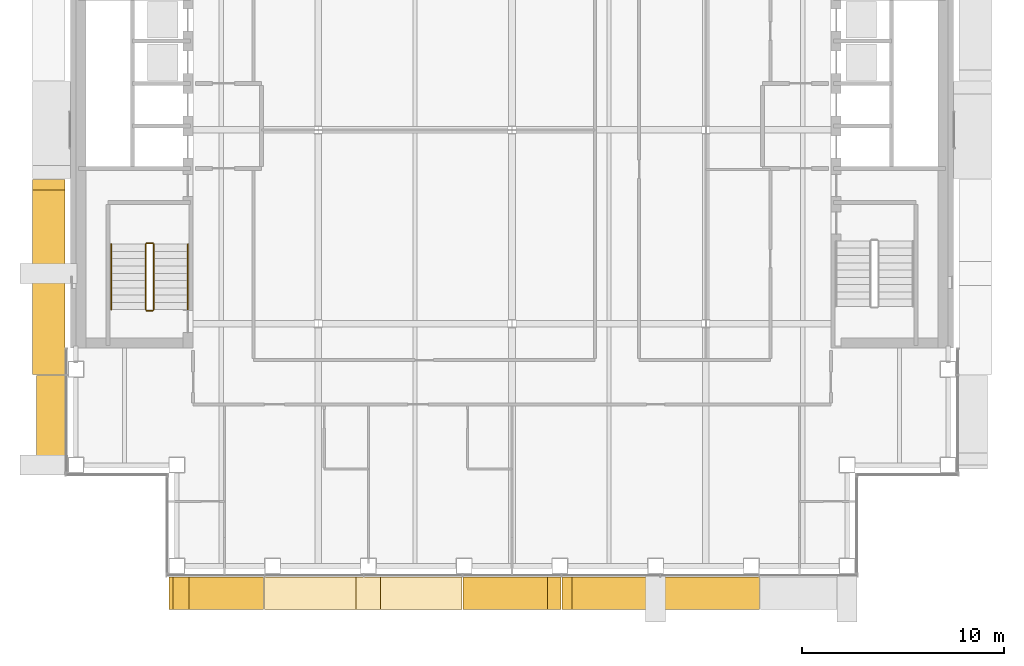
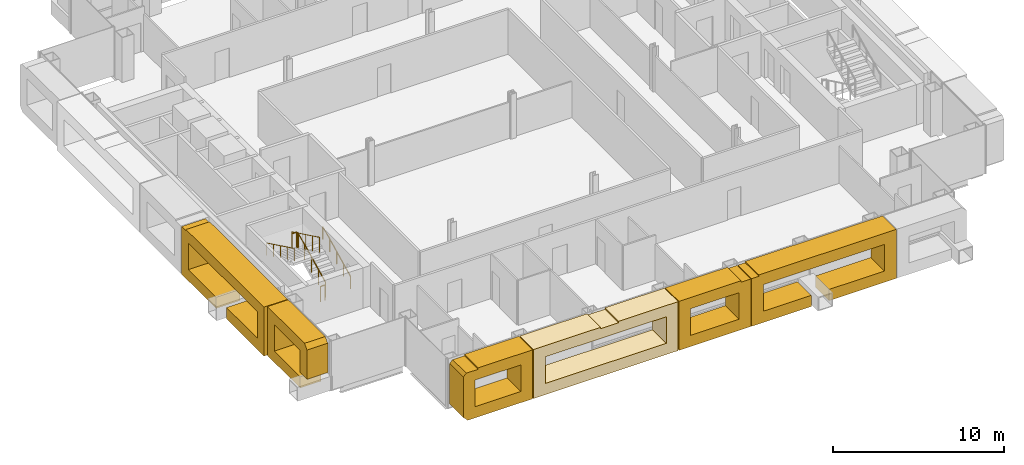
# One storey, part 16 of 21: 6 coverings, 6 railings.
"""IFC4 building model written with IfcOpenShell, lengths in metres."""

import ifcopenshell
import ifcopenshell.guid

model = None  # the IFC model being written
_history = None  # IfcOwnerHistory: only IFC2X3 demands one
_inside = {}  # id of a spatial element -> (the spatial element, [elements in it])
_under = {}  # id of a project, library or spatial element -> (it, [spatial elements below it])
_declared = {}  # id of a project -> (the project, [libraries it declares])
_typed = {}  # id of a type object -> (the type object, [elements of that type])
_made_of = {}  # id of a material, layer set ... -> (it, [elements and type objects made of it])


def new_model(schema):
    """Start an empty IFC model of exactly this schema.

    Asked for "IFC4X3", IfcOpenShell would pick the latest addendum, in which some entities
    have other attributes; the version numbers below select the first issue.
    IFC2X3 requires an IfcOwnerHistory on every rooted entity: one is made here for all.
    """
    global model, _history
    if schema == "IFC4X3":
        model = ifcopenshell.file(schema_version=(4, 3, 0, 0))
    else:
        model = ifcopenshell.file(schema=schema)
    _inside.clear()
    _under.clear()
    _declared.clear()
    _typed.clear()
    _made_of.clear()
    _history = None
    if model.schema == "IFC2X3":
        org = make("IfcOrganization", Name="unknown")
        user = make(
            "IfcPersonAndOrganization",
            ThePerson=make("IfcPerson", FamilyName="unknown"),
            TheOrganization=org,
        )
        app = make(
            "IfcApplication",
            ApplicationDeveloper=org,
            Version="unknown",
            ApplicationFullName="unknown",
            ApplicationIdentifier="unknown",
        )
        _history = make(
            "IfcOwnerHistory",
            OwningUser=user,
            OwningApplication=app,
            ChangeAction="ADDED",
            CreationDate=0,
        )
    return model


def make(cls, **values):
    """One entity of the class cls with the attributes given. An attribute that is None is left unset."""
    return model.create_entity(
        cls, **{name: value for name, value in values.items() if value is not None}
    )


def rooted(cls, **values):
    """An entity with a GlobalId (a new one), such as an element, a storey or a relation."""
    return make(cls, GlobalId=ifcopenshell.guid.new(), OwnerHistory=_history, **values)


def si_unit(unit_type, name, prefix=None):
    """IfcSIUnit, for example si_unit("LENGTHUNIT", "METRE", prefix="MILLI")."""
    return make("IfcSIUnit", UnitType=unit_type, Prefix=prefix, Name=name)


def assignment(units):
    """IfcUnitAssignment: the units of a project."""
    return None if units is None else make("IfcUnitAssignment", Units=units)


def point(xyz):
    """IfcCartesianPoint."""
    return None if xyz is None else make("IfcCartesianPoint", Coordinates=xyz)


def direction(xyz):
    """IfcDirection."""
    return None if xyz is None else make("IfcDirection", DirectionRatios=xyz)


def frame(location, z_axis=None, x_axis=None):
    """IfcAxis2Placement3D, a coordinate frame: its origin and axes. An axis left out is left unset."""
    return make(
        "IfcAxis2Placement3D",
        Location=point(location),
        Axis=direction(z_axis),
        RefDirection=direction(x_axis),
    )


def frame_2d(location, x_axis=None):
    """IfcAxis2Placement2D, a coordinate frame in the plane: its origin and x axis."""
    return make(
        "IfcAxis2Placement2D", Location=point(location), RefDirection=direction(x_axis)
    )


def origin():
    """The frame at (0, 0, 0) with its axes left unset."""
    return frame((0.0, 0.0, 0.0))


def origin_2d():
    """The frame at (0, 0) in the plane with its x axis left unset."""
    return frame_2d((0.0, 0.0))


def place(relative_to, where):
    """IfcLocalPlacement: puts the frame where relative to a parent placement (None: the world)."""
    return make(
        "IfcLocalPlacement", PlacementRelTo=relative_to, RelativePlacement=where
    )


def context(
    kind, dimensions, precision=None, world=None, true_north=None, identifier=None
):
    """IfcGeometricRepresentationContext, for example the 3D "Model" context."""
    return make(
        "IfcGeometricRepresentationContext",
        ContextIdentifier=identifier,
        ContextType=kind,
        CoordinateSpaceDimension=dimensions,
        Precision=precision,
        WorldCoordinateSystem=world,
        TrueNorth=true_north,
    )


def subcontext(parent, identifier, kind, view, scale=None):
    """IfcGeometricRepresentationSubContext, for example "Body" below "Model"."""
    return make(
        "IfcGeometricRepresentationSubContext",
        ContextIdentifier=identifier,
        ContextType=kind,
        ParentContext=parent,
        TargetScale=scale,
        TargetView=view,
    )


def project(units=None, contexts=None):
    """IfcProject with its units and contexts."""
    return rooted(
        "IfcProject",
        Name="project",
        RepresentationContexts=contexts,
        UnitsInContext=assignment(units),
    )


def spatial(cls, under=None, at=None, **own):
    """A site, building, storey or space (cls), placed at a placement, below another one or the project."""
    s = rooted(cls, ObjectPlacement=at, **own)
    if under is not None:
        _under.setdefault(under.id(), (under, []))[1].append(s)
    return s


def polyline(points):
    """IfcPolyline through the points."""
    return make("IfcPolyline", Points=[point(p) for p in points])


def profile(cls, at=None, kind="AREA", **sizes):
    """A parametric profile (cls). Its sizes go by their IFC names, for example OverallWidth=200.0."""
    return make(cls, ProfileType=kind, Position=at, **sizes)


def circle(**sizes):
    """IfcCircleProfileDef."""
    return profile("IfcCircleProfileDef", **sizes)


def outline(outer, holes=None, kind="AREA"):
    """IfcArbitraryClosedProfileDef: a profile drawn as a closed curve; with holes, ...WithVoids."""
    if holes is None:
        return make("IfcArbitraryClosedProfileDef", ProfileType=kind, OuterCurve=outer)
    return make(
        "IfcArbitraryProfileDefWithVoids",
        ProfileType=kind,
        OuterCurve=outer,
        InnerCurves=holes,
    )


def extrude(swept, where, along, depth):
    """IfcExtrudedAreaSolid: the profile swept, set in the frame where, extruded along a direction by depth."""
    return make(
        "IfcExtrudedAreaSolid",
        SweptArea=swept,
        Position=where,
        ExtrudedDirection=direction(along),
        Depth=depth,
    )


def shape(context_of_items, identifier, shape_type, items):
    """IfcShapeRepresentation: the items that make up one representation, for example the "Body"."""
    return make(
        "IfcShapeRepresentation",
        ContextOfItems=context_of_items,
        RepresentationIdentifier=identifier,
        RepresentationType=shape_type,
        Items=items,
    )


def material(Name=None, Category=None):
    """IfcMaterial."""
    return make("IfcMaterial", Name=Name, Category=Category)


def made_of(thing, what):
    """Note that an element or type object is made of a material, layer set ...; save() writes the relation."""
    if what is not None:
        _made_of.setdefault(what.id(), (what, []))[1].append(thing)
    return thing


def type_object(cls, material=None, **own):
    """A type object (cls), such as IfcWallType, which elements share."""
    return made_of(rooted(cls, **own), material)


def element(
    cls,
    number,
    at=None,
    inside=None,
    cuts=None,
    type_object=None,
    material=None,
    context=None,
    identifier="Body",
    shape_type=None,
    held_by="IfcProductDefinitionShape",
    body=None,
    shapes=None,
    **own,
):
    """One element of the class cls, such as IfcWall. Its Tag is "e" and its number.

    at: its placement. inside: the storey or other place that contains it. cuts: it is an
    opening in that element (IfcRelVoidsElement). A single representation is given by context,
    identifier, shape_type and body (its items); several are given by shapes. held_by: the class
    of the entity that holds the representations. save() writes the other relations.
    """
    e = rooted(cls, Tag="e%d" % number, ObjectPlacement=at, **own)
    if body is not None:
        shapes = [shape(context, identifier, shape_type, body)]
    if shapes is not None:
        e.Representation = make(held_by, Representations=shapes)
    if inside is not None:
        _inside.setdefault(inside.id(), (inside, []))[1].append(e)
    if cuts is not None:
        rooted(
            "IfcRelVoidsElement", RelatingBuildingElement=cuts, RelatedOpeningElement=e
        )
    if type_object is not None:
        _typed.setdefault(type_object.id(), (type_object, []))[1].append(e)
    return made_of(e, material)


def aggregate(whole, parts):
    """IfcRelAggregates: a whole, such as a stair, and the parts it consists of."""
    return rooted("IfcRelAggregates", RelatingObject=whole, RelatedObjects=parts)


def save(model, path):
    """Write the relations noted so far, then the file.

    IfcRelAggregates (storeys below a building ...), IfcRelContainedInSpatialStructure (elements
    in a storey), IfcRelDefinesByType, IfcRelAssociatesMaterial and IfcRelDeclares: one each for
    every whole, place, type object, material and project.
    """
    for whole, parts in _under.values():
        aggregate(whole, parts)
    for where, things in _inside.values():
        rooted(
            "IfcRelContainedInSpatialStructure",
            RelatedElements=things,
            RelatingStructure=where,
        )
    for kind, things in _typed.values():
        rooted("IfcRelDefinesByType", RelatedObjects=things, RelatingType=kind)
    for what, things in _made_of.values():
        rooted("IfcRelAssociatesMaterial", RelatedObjects=things, RelatingMaterial=what)
    for by, libraries in _declared.values():
        rooted("IfcRelDeclares", RelatingContext=by, RelatedDefinitions=libraries)
    model.write(path)


model = new_model("IFC4")

# Units and contexts
model_context = context("Model", 3, precision=1e-05, world=origin(), true_north=direction((0.0, 1.0)))
body_context = subcontext(model_context, "Body", "Model", "MODEL_VIEW")
ifc_project = project(units=[si_unit("LENGTHUNIT", "METRE"), si_unit("AREAUNIT", "SQUARE_METRE"), si_unit("VOLUMEUNIT", "CUBIC_METRE"), si_unit("PLANEANGLEUNIT", "RADIAN"), si_unit("MASSUNIT", "GRAM", prefix="KILO")], contexts=[model_context])

# Site, building, storey
site_placement = place(None, origin())
site = spatial("IfcSite", under=ifc_project, at=site_placement, CompositionType="ELEMENT")
building_placement = place(site_placement, origin())
building = spatial("IfcBuilding", under=site, at=building_placement, Name="Cobrizo Arcos Hotel Tower", CompositionType="ELEMENT")
storey_placement = place(building_placement, frame((0.0, 0.0, 183.0)))
storey = spatial("IfcBuildingStorey", under=building, at=storey_placement, Name="L47", CompositionType="ELEMENT", Elevation=183.0)

# Coverings
ifc_material_1 = material(Name="Aluminium 6063-T6 anodised bronze", Category="aluminium")
covering_type_1 = type_object("IfcCoveringType", Name="FIN-F 1400", PredefinedType="CLADDING", material=ifc_material_1)
covering_1_placement = place(storey_placement, frame((-22.14990234375, -12.16796875, 0.0), z_axis=(-1.0, 0.0, 0.0), x_axis=(0.0, -1.0, 0.0)))
element("IfcCovering", 1, at=covering_1_placement, inside=storey, type_object=covering_type_1, Name="Fin frame 290", PredefinedType="CLADDING", context=body_context, shape_type="SweptSolid", body=[
    extrude(outline(polyline([(0.0, 0.0), (3.830078125, 0.0), (3.830078125, 0.800048828125), (0.800048828125, 0.800048828125), (0.800048828125, 2.699951171875), (3.83203125, 2.699951171875), (3.83203125, 1.10205078125), (4.632080078125, 1.10205078125), (4.632080078125, 3.199951171875), (4.33203125, 3.5), (0.0, 3.5), (0.0, 0.0)])), origin(), (0.0, 0.0, 1.0), 1.400146484375),
])
covering_type_2 = type_object("IfcCoveringType", Name="FIN-F 1600", PredefinedType="CLADDING", material=ifc_material_1)
covering_2_placement = place(storey_placement, frame((-17.0, -22.14990234375, 0.0), z_axis=(0.0, -1.0, 0.0), x_axis=(1.0, 0.0, 0.0)))
element("IfcCovering", 2, at=covering_2_placement, inside=storey, type_object=covering_type_2, Name="Fin frame 256", PredefinedType="CLADDING", context=body_context, shape_type="SweptSolid", body=[
    extrude(outline(polyline([(4.689208984375, 3.5), (1.001953125, 3.5), (1.001953125, 3.39794921875), (0.197998046875, 3.39794921875), (0.0, 3.199951171875), (0.0, 0.300048828125), (0.300048828125, 0.0), (4.689208984375, 0.0), (4.689208984375, 3.5)]), holes=[polyline([(3.889404296875, 0.800048828125), (0.800048828125, 0.800048828125), (0.800048828125, 2.699951171875), (3.889404296875, 2.699951171875), (3.889404296875, 0.800048828125)])]), origin(), (0.0, 0.0, 1.0), 1.60009765625),
])
covering_3_placement = place(storey_placement, frame((-12.2607421875, -22.14990234375, 0.0), z_axis=(0.0, -1.0, 0.0), x_axis=(1.0, 0.0, 0.0)))
element("IfcCovering", 3, at=covering_3_placement, inside=storey, type_object=covering_type_2, Name="Fin frame 257", PredefinedType="CLADDING", context=body_context, shape_type="SweptSolid", body=[
    extrude(outline(polyline([(9.778564453125, 3.5), (5.748291015625, 3.5), (5.748291015625, 3.39794921875), (4.54443359375, 3.39794921875), (4.54443359375, 3.5), (0.0, 3.5), (0.0, 0.0), (9.778564453125, 0.0), (9.778564453125, 3.5)]), holes=[polyline([(8.978515625, 0.800048828125), (0.800048828125, 0.800048828125), (0.800048828125, 2.699951171875), (8.978515625, 2.699951171875), (8.978515625, 0.800048828125)])]), origin(), (0.0, 0.0, 1.0), 1.60009765625),
])
covering_4_placement = place(storey_placement, frame((-2.43212890625, -22.14990234375, 0.0), z_axis=(0.0, -1.0, 0.0), x_axis=(1.0, 0.0, 0.0)))
element("IfcCovering", 4, at=covering_4_placement, inside=storey, type_object=covering_type_2, Name="Fin frame 258", PredefinedType="CLADDING", context=body_context, shape_type="SweptSolid", body=[
    extrude(outline(polyline([(4.8642578125, 0.0), (4.8642578125, 3.39794921875), (4.201416015625, 3.39794921875), (4.201416015625, 3.5), (0.0, 3.5), (0.0, 0.0), (4.8642578125, 0.0)]), holes=[polyline([(4.064208984375, 0.800048828125), (0.800048828125, 0.800048828125), (0.800048828125, 2.699951171875), (4.064208984375, 2.699951171875), (4.064208984375, 0.800048828125)])]), origin(), (0.0, 0.0, 1.0), 1.60009765625),
])
covering_5_placement = place(storey_placement, frame((2.482177734375, -22.14990234375, 0.0), z_axis=(0.0, -1.0, 0.0), x_axis=(1.0, 0.0, 0.0)))
element("IfcCovering", 5, at=covering_5_placement, inside=storey, type_object=covering_type_2, Name="Fin frame 259", PredefinedType="CLADDING", context=body_context, shape_type="SweptSolid", body=[
    extrude(outline(polyline([(0.0, 0.0), (4.0302734375, 0.0), (4.0302734375, 0.800048828125), (0.800048828125, 0.800048828125), (0.800048828125, 2.699951171875), (8.978515625, 2.699951171875), (8.978515625, 0.800048828125), (5.234130859375, 0.800048828125), (5.234130859375, 0.0), (9.778564453125, 0.0), (9.778564453125, 3.5), (0.4912109375, 3.5), (0.4912109375, 3.39794921875), (0.0, 3.39794921875), (0.0, 0.0)])), origin(), (0.0, 0.0, 1.0), 1.60009765625),
])
covering_6_placement = place(storey_placement, frame((-22.14990234375, -2.45361328125, 0.0), z_axis=(-1.0, 0.0, 0.0), x_axis=(0.0, -1.0, 0.0)))
element("IfcCovering", 6, at=covering_6_placement, inside=storey, type_object=covering_type_2, Name="Fin frame 289", PredefinedType="CLADDING", context=body_context, shape_type="SweptSolid", body=[
    extrude(outline(polyline([(0.0, 0.0), (4.05859375, 0.0), (4.05859375, 0.800048828125), (0.800048828125, 0.800048828125), (0.800048828125, 2.699951171875), (8.8642578125, 2.699951171875), (8.8642578125, 0.800048828125), (5.2626953125, 0.800048828125), (5.2626953125, 0.0), (9.664306640625, 0.0), (9.664306640625, 3.5), (0.519775390625, 3.5), (0.519775390625, 3.39794921875), (0.0, 3.39794921875), (0.0, 0.0)])), origin(), (0.0, 0.0, 1.0), 1.60009765625),
])

# Railings
ifc_material_2 = material(Name="Stainless steel railing", Category="steel")
railing_type_1 = type_object("IfcRailingType", Name="Stair guard 1100", PredefinedType="GUARDRAIL", material=ifc_material_2)
railing_1_placement = place(storey_placement, frame((-17.75, -8.89990234375, 0.175048828125)))
element("IfcRailing", 7, at=railing_1_placement, inside=storey, type_object=railing_type_1, Name="L47 ST-W stair guard 1", PredefinedType="GUARDRAIL", context=body_context, shape_type="SweptSolid", body=[
    extrude(circle(Radius=0.02392578125, at=origin_2d()), frame((0.0, 0.0, 1.076171875), z_axis=(0.0, 0.899372665325, 0.437182809435), x_axis=(-1.0, 0.0, 0.0)), (0.0, 0.0, 1.0), 3.6025390625),
    extrude(circle(Radius=0.02099609375, at=origin_2d()), origin(), (0.0, 0.0, 1.0), 1.052001953125),
    extrude(circle(Radius=0.02099609375, at=origin_2d()), frame((0.0, 0.81005859375, 0.393798828125)), (0.0, 0.0, 1.0), 1.052001953125),
    extrude(circle(Radius=0.02099609375, at=origin_2d()), frame((0.0, 1.6201171875, 0.78759765625)), (0.0, 0.0, 1.0), 1.052001953125),
    extrude(circle(Radius=0.02099609375, at=origin_2d()), frame((0.0, 2.429931640625, 1.18115234375)), (0.0, 0.0, 1.0), 1.052001953125),
    extrude(circle(Radius=0.02099609375, at=origin_2d()), frame((0.0, 3.239990234375, 1.574951171875)), (0.0, 0.0, 1.0), 1.052001953125),
])
railing_2_placement = place(storey_placement, frame((-17.800048828125, -5.610107421875, 1.75)))
element("IfcRailing", 8, at=railing_2_placement, inside=storey, type_object=railing_type_1, Name="L47 ST-W stair guard 2", PredefinedType="GUARDRAIL", context=body_context, shape_type="SweptSolid", body=[
    extrude(circle(Radius=0.02392578125, at=origin_2d()), frame((0.0, 0.0, 1.076171875), z_axis=(-1.0, 0.0, 0.0), x_axis=(0.0, -1.0, 0.0)), (0.0, 0.0, 1.0), 0.300048828125),
    extrude(circle(Radius=0.02099609375, at=origin_2d()), origin(), (0.0, 0.0, 1.0), 1.052001953125),
    extrude(circle(Radius=0.02099609375, at=origin_2d()), frame((-0.300048828125, 0.0, 0.0)), (0.0, 0.0, 1.0), 1.052001953125),
])
railing_3_placement = place(storey_placement, frame((-18.14990234375, -5.659912109375, 1.925048828125)))
element("IfcRailing", 9, at=railing_3_placement, inside=storey, type_object=railing_type_1, Name="L47 ST-W stair guard 3", PredefinedType="GUARDRAIL", context=body_context, shape_type="SweptSolid", body=[
    extrude(circle(Radius=0.02392578125, at=origin_2d()), frame((0.0, 0.0, 1.076171875), z_axis=(0.0, -0.899372665325, 0.437182809435), x_axis=(1.0, 0.0, 0.0)), (0.0, 0.0, 1.0), 3.6025390625),
    extrude(circle(Radius=0.02099609375, at=origin_2d()), origin(), (0.0, 0.0, 1.0), 1.052001953125),
    extrude(circle(Radius=0.02099609375, at=origin_2d()), frame((0.0, -0.81005859375, 0.393798828125)), (0.0, 0.0, 1.0), 1.052001953125),
    extrude(circle(Radius=0.02099609375, at=origin_2d()), frame((0.0, -1.6201171875, 0.78759765625)), (0.0, 0.0, 1.0), 1.052001953125),
    extrude(circle(Radius=0.02099609375, at=origin_2d()), frame((0.0, -2.429931640625, 1.18115234375)), (0.0, 0.0, 1.0), 1.052001953125),
    extrude(circle(Radius=0.02099609375, at=origin_2d()), frame((0.0, -3.239990234375, 1.574951171875)), (0.0, 0.0, 1.0), 1.052001953125),
])
railing_4_placement = place(storey_placement, frame((-17.800048828125, -8.949951171875, 0.0)))
element("IfcRailing", 10, at=railing_4_placement, inside=storey, type_object=railing_type_1, Name="L47 ST-W stair guard 4", PredefinedType="GUARDRAIL", context=body_context, shape_type="SweptSolid", body=[
    extrude(circle(Radius=0.02392578125, at=origin_2d()), frame((0.0, 0.0, 1.076171875), z_axis=(-1.0, 0.0, 0.0), x_axis=(0.0, -1.0, 0.0)), (0.0, 0.0, 1.0), 0.300048828125),
    extrude(circle(Radius=0.02099609375, at=origin_2d()), origin(), (0.0, 0.0, 1.0), 1.052001953125),
    extrude(circle(Radius=0.02099609375, at=origin_2d()), frame((-0.300048828125, 0.0, 0.0)), (0.0, 0.0, 1.0), 1.052001953125),
])
railing_type_2 = type_object("IfcRailingType", Name="Stair handrail", PredefinedType="HANDRAIL", material=ifc_material_2)
railing_5_placement = place(storey_placement, frame((-16.050048828125, -8.89990234375, 0.175048828125)))
element("IfcRailing", 11, at=railing_5_placement, inside=storey, type_object=railing_type_2, Name="L47 ST-W stair handrail 1", PredefinedType="HANDRAIL", context=body_context, shape_type="SweptSolid", body=[
    extrude(circle(Radius=0.02392578125, at=origin_2d()), frame((0.0, 0.0, 0.8759765625), z_axis=(0.0, 0.899372665325, 0.437182809435), x_axis=(-1.0, 0.0, 0.0)), (0.0, 0.0, 1.0), 3.6025390625),
    extrude(circle(Radius=0.02099609375, at=origin_2d()), origin(), (0.0, 0.0, 1.0), 0.851806640625),
    extrude(circle(Radius=0.02099609375, at=origin_2d()), frame((0.0, 0.81005859375, 0.393798828125)), (0.0, 0.0, 1.0), 0.851806640625),
    extrude(circle(Radius=0.02099609375, at=origin_2d()), frame((0.0, 1.6201171875, 0.78759765625)), (0.0, 0.0, 1.0), 0.851806640625),
    extrude(circle(Radius=0.02099609375, at=origin_2d()), frame((0.0, 2.429931640625, 1.18115234375)), (0.0, 0.0, 1.0), 0.851806640625),
    extrude(circle(Radius=0.02099609375, at=origin_2d()), frame((0.0, 3.239990234375, 1.574951171875)), (0.0, 0.0, 1.0), 0.851806640625),
])
railing_6_placement = place(storey_placement, frame((-19.85009765625, -5.659912109375, 1.925048828125)))
element("IfcRailing", 12, at=railing_6_placement, inside=storey, type_object=railing_type_2, Name="L47 ST-W stair handrail 2", PredefinedType="HANDRAIL", context=body_context, shape_type="SweptSolid", body=[
    extrude(circle(Radius=0.02392578125, at=origin_2d()), frame((0.0, 0.0, 0.8759765625), z_axis=(0.0, -0.899372665325, 0.437182809435), x_axis=(1.0, 0.0, 0.0)), (0.0, 0.0, 1.0), 3.6025390625),
    extrude(circle(Radius=0.02099609375, at=origin_2d()), origin(), (0.0, 0.0, 1.0), 0.851806640625),
    extrude(circle(Radius=0.02099609375, at=origin_2d()), frame((0.0, -0.81005859375, 0.393798828125)), (0.0, 0.0, 1.0), 0.851806640625),
    extrude(circle(Radius=0.02099609375, at=origin_2d()), frame((0.0, -1.6201171875, 0.78759765625)), (0.0, 0.0, 1.0), 0.851806640625),
    extrude(circle(Radius=0.02099609375, at=origin_2d()), frame((0.0, -2.429931640625, 1.18115234375)), (0.0, 0.0, 1.0), 0.851806640625),
    extrude(circle(Radius=0.02099609375, at=origin_2d()), frame((0.0, -3.239990234375, 1.574951171875)), (0.0, 0.0, 1.0), 0.851806640625),
])

save(model, "model.ifc")
